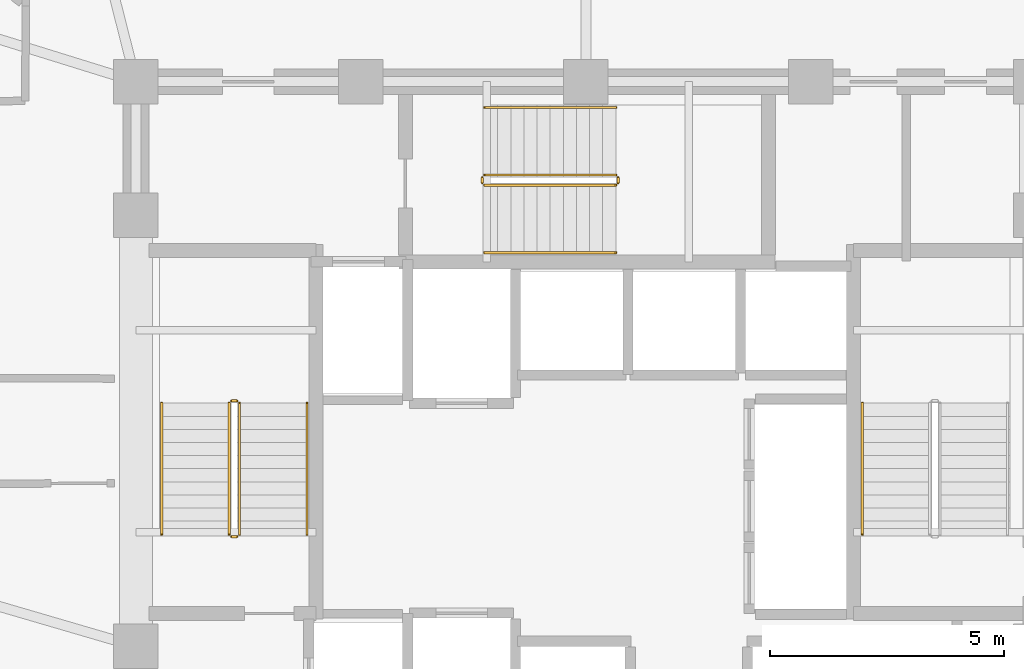
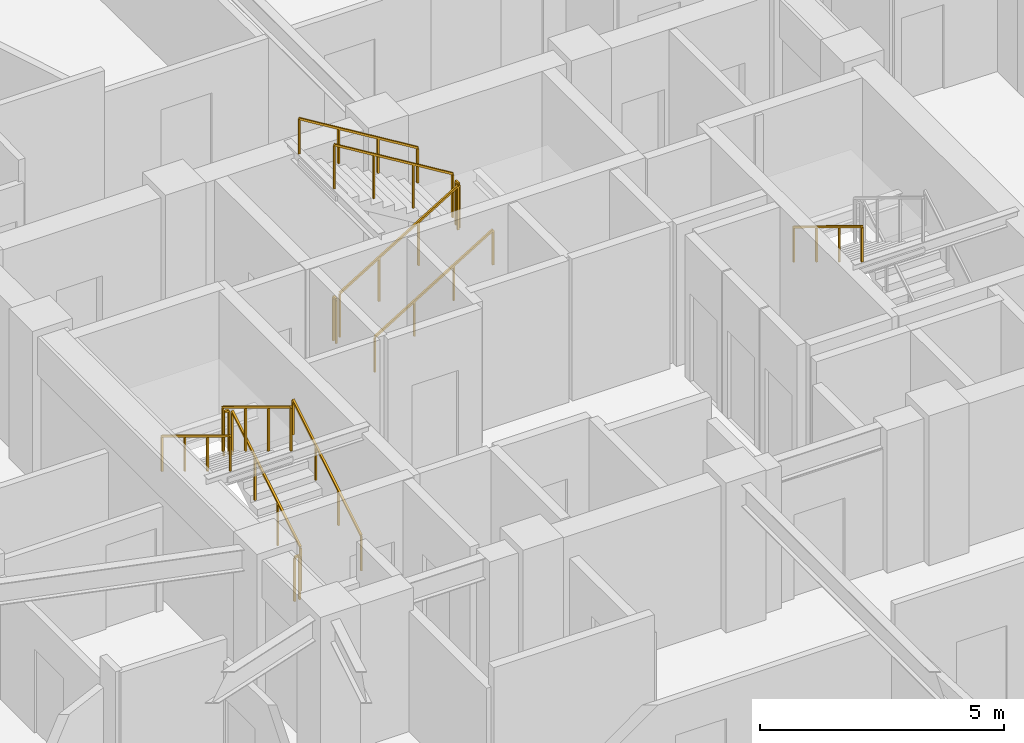
# One storey, part 29 of 31: 13 railings.
"""IFC4 building model written with IfcOpenShell, lengths in metres."""

import ifcopenshell
import ifcopenshell.guid

model = None  # the IFC model being written
_history = None  # IfcOwnerHistory: only IFC2X3 demands one
_inside = {}  # id of a spatial element -> (the spatial element, [elements in it])
_under = {}  # id of a project, library or spatial element -> (it, [spatial elements below it])
_declared = {}  # id of a project -> (the project, [libraries it declares])
_typed = {}  # id of a type object -> (the type object, [elements of that type])
_made_of = {}  # id of a material, layer set ... -> (it, [elements and type objects made of it])


def new_model(schema):
    """Start an empty IFC model of exactly this schema.

    Asked for "IFC4X3", IfcOpenShell would pick the latest addendum, in which some entities
    have other attributes; the version numbers below select the first issue.
    IFC2X3 requires an IfcOwnerHistory on every rooted entity: one is made here for all.
    """
    global model, _history
    if schema == "IFC4X3":
        model = ifcopenshell.file(schema_version=(4, 3, 0, 0))
    else:
        model = ifcopenshell.file(schema=schema)
    _inside.clear()
    _under.clear()
    _declared.clear()
    _typed.clear()
    _made_of.clear()
    _history = None
    if model.schema == "IFC2X3":
        org = make("IfcOrganization", Name="unknown")
        user = make(
            "IfcPersonAndOrganization",
            ThePerson=make("IfcPerson", FamilyName="unknown"),
            TheOrganization=org,
        )
        app = make(
            "IfcApplication",
            ApplicationDeveloper=org,
            Version="unknown",
            ApplicationFullName="unknown",
            ApplicationIdentifier="unknown",
        )
        _history = make(
            "IfcOwnerHistory",
            OwningUser=user,
            OwningApplication=app,
            ChangeAction="ADDED",
            CreationDate=0,
        )
    return model


def make(cls, **values):
    """One entity of the class cls with the attributes given. An attribute that is None is left unset."""
    return model.create_entity(
        cls, **{name: value for name, value in values.items() if value is not None}
    )


def rooted(cls, **values):
    """An entity with a GlobalId (a new one), such as an element, a storey or a relation."""
    return make(cls, GlobalId=ifcopenshell.guid.new(), OwnerHistory=_history, **values)


def si_unit(unit_type, name, prefix=None):
    """IfcSIUnit, for example si_unit("LENGTHUNIT", "METRE", prefix="MILLI")."""
    return make("IfcSIUnit", UnitType=unit_type, Prefix=prefix, Name=name)


def assignment(units):
    """IfcUnitAssignment: the units of a project."""
    return None if units is None else make("IfcUnitAssignment", Units=units)


def point(xyz):
    """IfcCartesianPoint."""
    return None if xyz is None else make("IfcCartesianPoint", Coordinates=xyz)


def direction(xyz):
    """IfcDirection."""
    return None if xyz is None else make("IfcDirection", DirectionRatios=xyz)


def frame(location, z_axis=None, x_axis=None):
    """IfcAxis2Placement3D, a coordinate frame: its origin and axes. An axis left out is left unset."""
    return make(
        "IfcAxis2Placement3D",
        Location=point(location),
        Axis=direction(z_axis),
        RefDirection=direction(x_axis),
    )


def frame_2d(location, x_axis=None):
    """IfcAxis2Placement2D, a coordinate frame in the plane: its origin and x axis."""
    return make(
        "IfcAxis2Placement2D", Location=point(location), RefDirection=direction(x_axis)
    )


def origin():
    """The frame at (0, 0, 0) with its axes left unset."""
    return frame((0.0, 0.0, 0.0))


def origin_2d():
    """The frame at (0, 0) in the plane with its x axis left unset."""
    return frame_2d((0.0, 0.0))


def place(relative_to, where):
    """IfcLocalPlacement: puts the frame where relative to a parent placement (None: the world)."""
    return make(
        "IfcLocalPlacement", PlacementRelTo=relative_to, RelativePlacement=where
    )


def context(
    kind, dimensions, precision=None, world=None, true_north=None, identifier=None
):
    """IfcGeometricRepresentationContext, for example the 3D "Model" context."""
    return make(
        "IfcGeometricRepresentationContext",
        ContextIdentifier=identifier,
        ContextType=kind,
        CoordinateSpaceDimension=dimensions,
        Precision=precision,
        WorldCoordinateSystem=world,
        TrueNorth=true_north,
    )


def subcontext(parent, identifier, kind, view, scale=None):
    """IfcGeometricRepresentationSubContext, for example "Body" below "Model"."""
    return make(
        "IfcGeometricRepresentationSubContext",
        ContextIdentifier=identifier,
        ContextType=kind,
        ParentContext=parent,
        TargetScale=scale,
        TargetView=view,
    )


def project(units=None, contexts=None):
    """IfcProject with its units and contexts."""
    return rooted(
        "IfcProject",
        Name="project",
        RepresentationContexts=contexts,
        UnitsInContext=assignment(units),
    )


def spatial(cls, under=None, at=None, **own):
    """A site, building, storey or space (cls), placed at a placement, below another one or the project."""
    s = rooted(cls, ObjectPlacement=at, **own)
    if under is not None:
        _under.setdefault(under.id(), (under, []))[1].append(s)
    return s


def profile(cls, at=None, kind="AREA", **sizes):
    """A parametric profile (cls). Its sizes go by their IFC names, for example OverallWidth=200.0."""
    return make(cls, ProfileType=kind, Position=at, **sizes)


def rectangle(**sizes):
    """IfcRectangleProfileDef."""
    return profile("IfcRectangleProfileDef", **sizes)


def extrude(swept, where, along, depth):
    """IfcExtrudedAreaSolid: the profile swept, set in the frame where, extruded along a direction by depth."""
    return make(
        "IfcExtrudedAreaSolid",
        SweptArea=swept,
        Position=where,
        ExtrudedDirection=direction(along),
        Depth=depth,
    )


def shape(context_of_items, identifier, shape_type, items):
    """IfcShapeRepresentation: the items that make up one representation, for example the "Body"."""
    return make(
        "IfcShapeRepresentation",
        ContextOfItems=context_of_items,
        RepresentationIdentifier=identifier,
        RepresentationType=shape_type,
        Items=items,
    )


def material(Name=None, Category=None):
    """IfcMaterial."""
    return make("IfcMaterial", Name=Name, Category=Category)


def made_of(thing, what):
    """Note that an element or type object is made of a material, layer set ...; save() writes the relation."""
    if what is not None:
        _made_of.setdefault(what.id(), (what, []))[1].append(thing)
    return thing


def type_object(cls, material=None, **own):
    """A type object (cls), such as IfcWallType, which elements share."""
    return made_of(rooted(cls, **own), material)


def element(
    cls,
    number,
    at=None,
    inside=None,
    cuts=None,
    type_object=None,
    material=None,
    context=None,
    identifier="Body",
    shape_type=None,
    held_by="IfcProductDefinitionShape",
    body=None,
    shapes=None,
    **own,
):
    """One element of the class cls, such as IfcWall. Its Tag is "e" and its number.

    at: its placement. inside: the storey or other place that contains it. cuts: it is an
    opening in that element (IfcRelVoidsElement). A single representation is given by context,
    identifier, shape_type and body (its items); several are given by shapes. held_by: the class
    of the entity that holds the representations. save() writes the other relations.
    """
    e = rooted(cls, Tag="e%d" % number, ObjectPlacement=at, **own)
    if body is not None:
        shapes = [shape(context, identifier, shape_type, body)]
    if shapes is not None:
        e.Representation = make(held_by, Representations=shapes)
    if inside is not None:
        _inside.setdefault(inside.id(), (inside, []))[1].append(e)
    if cuts is not None:
        rooted(
            "IfcRelVoidsElement", RelatingBuildingElement=cuts, RelatedOpeningElement=e
        )
    if type_object is not None:
        _typed.setdefault(type_object.id(), (type_object, []))[1].append(e)
    return made_of(e, material)


def aggregate(whole, parts):
    """IfcRelAggregates: a whole, such as a stair, and the parts it consists of."""
    return rooted("IfcRelAggregates", RelatingObject=whole, RelatedObjects=parts)


def save(model, path):
    """Write the relations noted so far, then the file.

    IfcRelAggregates (storeys below a building ...), IfcRelContainedInSpatialStructure (elements
    in a storey), IfcRelDefinesByType, IfcRelAssociatesMaterial and IfcRelDeclares: one each for
    every whole, place, type object, material and project.
    """
    for whole, parts in _under.values():
        aggregate(whole, parts)
    for where, things in _inside.values():
        rooted(
            "IfcRelContainedInSpatialStructure",
            RelatedElements=things,
            RelatingStructure=where,
        )
    for kind, things in _typed.values():
        rooted("IfcRelDefinesByType", RelatedObjects=things, RelatingType=kind)
    for what, things in _made_of.values():
        rooted("IfcRelAssociatesMaterial", RelatedObjects=things, RelatingMaterial=what)
    for by, libraries in _declared.values():
        rooted("IfcRelDeclares", RelatingContext=by, RelatedDefinitions=libraries)
    model.write(path)


model = new_model("IFC4")

# Units and contexts
model_context = context("Model", 3, precision=1e-05, world=origin(), true_north=direction((0.0, 1.0)))
body_context = subcontext(model_context, "Body", "Model", "MODEL_VIEW")
ifc_project = project(units=[si_unit("LENGTHUNIT", "METRE"), si_unit("AREAUNIT", "SQUARE_METRE"), si_unit("VOLUMEUNIT", "CUBIC_METRE"), si_unit("PLANEANGLEUNIT", "RADIAN"), si_unit("MASSUNIT", "GRAM", prefix="KILO")], contexts=[model_context])

# Site, building, storey
site_placement = place(None, origin())
site = spatial("IfcSite", under=ifc_project, at=site_placement, CompositionType="ELEMENT")
building_placement = place(site_placement, origin())
building = spatial("IfcBuilding", under=site, at=building_placement, Name="Vantalir Tower", CompositionType="ELEMENT")
storey_placement = place(building_placement, frame((0.0, 0.0, 123.449951171875)))
storey = spatial("IfcBuildingStorey", under=building, at=storey_placement, Name="L30", CompositionType="ELEMENT", Elevation=123.449951171875)

# Railings
ifc_material_1 = material(Name="Anodised aluminium and stainless steel guard", Category="steel")
railing_type_1 = type_object("IfcRailingType", Name="RAL-GUARD-1120", PredefinedType="GUARDRAIL", material=ifc_material_1)
railing_1_placement = place(storey_placement, frame((24.110107421875, 22.7900390625, 0.17041015625)))
element("IfcRailing", 1, at=railing_1_placement, inside=storey, type_object=railing_type_1, Name="L30 ST1 stair guard 1", PredefinedType="GUARDRAIL", context=body_context, shape_type="SweptSolid", body=[
    extrude(rectangle(XDim=0.048095703125, YDim=0.048095703125, at=origin_2d()), frame((0.0, 0.0, 1.09619140625), z_axis=(0.0, 0.854169791009, 0.51999420009), x_axis=(-1.0, 0.0, 0.0)), (0.0, 0.0, 1.0), 3.278076171875),
    extrude(rectangle(XDim=0.0419921875, YDim=0.0419921875, at=origin_2d()), origin(), (0.0, 0.0, 1.0), 1.072021484375),
    extrude(rectangle(XDim=0.0419921875, YDim=0.0419921875, at=origin_2d()), frame((0.0, 0.933349609375, 0.568115234375)), (0.0, 0.0, 1.0), 1.072021484375),
    extrude(rectangle(XDim=0.0419921875, YDim=0.0419921875, at=origin_2d()), frame((0.0, 1.86669921875, 1.136474609375)), (0.0, 0.0, 1.0), 1.072021484375),
    extrude(rectangle(XDim=0.0419921875, YDim=0.0419921875, at=origin_2d()), frame((0.0, 2.800048828125, 1.70458984375)), (0.0, 0.0, 1.0), 1.072021484375),
])
railing_2_placement = place(storey_placement, frame((24.06005859375, 25.639892578125, 1.875)))
element("IfcRailing", 2, at=railing_2_placement, inside=storey, type_object=railing_type_1, Name="L30 ST1 stair guard 2", PredefinedType="GUARDRAIL", context=body_context, shape_type="SweptSolid", body=[
    extrude(rectangle(XDim=0.048095703125, YDim=0.048095703125, at=origin_2d()), frame((0.0, 0.0, 1.09619140625), z_axis=(-1.0, 0.0, 0.0), x_axis=(0.0, -1.0, 0.0)), (0.0, 0.0, 1.0), 0.1201171875),
    extrude(rectangle(XDim=0.0419921875, YDim=0.0419921875, at=origin_2d()), origin(), (0.0, 0.0, 1.0), 1.072021484375),
    extrude(rectangle(XDim=0.0419921875, YDim=0.0419921875, at=origin_2d()), frame((-0.1201171875, 0.0, 0.0)), (0.0, 0.0, 1.0), 1.072021484375),
])
railing_3_placement = place(storey_placement, frame((23.889892578125, 25.590087890625, 2.04541015625)))
element("IfcRailing", 3, at=railing_3_placement, inside=storey, type_object=railing_type_1, Name="L30 ST1 stair guard 3", PredefinedType="GUARDRAIL", context=body_context, shape_type="SweptSolid", body=[
    extrude(rectangle(XDim=0.048095703125, YDim=0.048095703125, at=origin_2d()), frame((0.0, 0.0, 1.09619140625), z_axis=(0.0, -0.854169791009, 0.51999420009), x_axis=(1.0, 0.0, 0.0)), (0.0, 0.0, 1.0), 3.278076171875),
    extrude(rectangle(XDim=0.0419921875, YDim=0.0419921875, at=origin_2d()), origin(), (0.0, 0.0, 1.0), 1.072021484375),
    extrude(rectangle(XDim=0.0419921875, YDim=0.0419921875, at=origin_2d()), frame((0.0, -0.933349609375, 0.568115234375)), (0.0, 0.0, 1.0), 1.072021484375),
    extrude(rectangle(XDim=0.0419921875, YDim=0.0419921875, at=origin_2d()), frame((0.0, -1.86669921875, 1.136474609375)), (0.0, 0.0, 1.0), 1.072021484375),
    extrude(rectangle(XDim=0.0419921875, YDim=0.0419921875, at=origin_2d()), frame((0.0, -2.800048828125, 1.70458984375)), (0.0, 0.0, 1.0), 1.072021484375),
])
railing_4_placement = place(storey_placement, frame((24.06005859375, 22.739990234375, 0.0)))
element("IfcRailing", 4, at=railing_4_placement, inside=storey, type_object=railing_type_1, Name="L30 ST1 stair guard 4", PredefinedType="GUARDRAIL", context=body_context, shape_type="SweptSolid", body=[
    extrude(rectangle(XDim=0.048095703125, YDim=0.048095703125, at=origin_2d()), frame((0.0, 0.0, 1.09619140625), z_axis=(-1.0, 0.0, 0.0), x_axis=(0.0, -1.0, 0.0)), (0.0, 0.0, 1.0), 0.1201171875),
    extrude(rectangle(XDim=0.0419921875, YDim=0.0419921875, at=origin_2d()), origin(), (0.0, 0.0, 1.0), 1.072021484375),
    extrude(rectangle(XDim=0.0419921875, YDim=0.0419921875, at=origin_2d()), frame((-0.1201171875, 0.0, 0.0)), (0.0, 0.0, 1.0), 1.072021484375),
])
railing_5_placement = place(storey_placement, frame((29.340087890625, 30.239990234375, 0.17041015625)))
element("IfcRailing", 5, at=railing_5_placement, inside=storey, type_object=railing_type_1, Name="L30 ST3 stair guard 1", PredefinedType="GUARDRAIL", context=body_context, shape_type="SweptSolid", body=[
    extrude(rectangle(XDim=0.048095703125, YDim=0.048095703125, at=origin_2d()), frame((0.0, 0.0, 1.09619140625), z_axis=(0.854149651119, 0.0, 0.520027281489), x_axis=(0.0, 1.0, 0.0)), (0.0, 0.0, 1.0), 3.27783203125),
    extrude(rectangle(XDim=0.0419921875, YDim=0.0419921875, at=origin_2d()), origin(), (0.0, 0.0, 1.0), 1.072021484375),
    extrude(rectangle(XDim=0.0419921875, YDim=0.0419921875, at=origin_2d()), frame((0.933349609375, 0.0, 0.568115234375)), (0.0, 0.0, 1.0), 1.072021484375),
    extrude(rectangle(XDim=0.0419921875, YDim=0.0419921875, at=origin_2d()), frame((1.866455078125, 0.0, 1.136474609375)), (0.0, 0.0, 1.0), 1.072021484375),
    extrude(rectangle(XDim=0.0419921875, YDim=0.0419921875, at=origin_2d()), frame((2.7998046875, 0.0, 1.70458984375)), (0.0, 0.0, 1.0), 1.072021484375),
])
railing_6_placement = place(storey_placement, frame((32.18994140625, 30.2900390625, 1.875)))
element("IfcRailing", 6, at=railing_6_placement, inside=storey, type_object=railing_type_1, Name="L30 ST3 stair guard 2", PredefinedType="GUARDRAIL", context=body_context, shape_type="SweptSolid", body=[
    extrude(rectangle(XDim=0.048095703125, YDim=0.048095703125, at=origin_2d()), frame((0.0, 0.0, 1.09619140625), z_axis=(0.0, 1.0, 0.0), x_axis=(-1.0, 0.0, 0.0)), (0.0, 0.0, 1.0), 0.119873046875),
    extrude(rectangle(XDim=0.0419921875, YDim=0.0419921875, at=origin_2d()), origin(), (0.0, 0.0, 1.0), 1.072021484375),
    extrude(rectangle(XDim=0.0419921875, YDim=0.0419921875, at=origin_2d()), frame((0.0, 0.119873046875, 0.0)), (0.0, 0.0, 1.0), 1.072021484375),
])
railing_7_placement = place(storey_placement, frame((32.139892578125, 30.4599609375, 2.04541015625)))
element("IfcRailing", 7, at=railing_7_placement, inside=storey, type_object=railing_type_1, Name="L30 ST3 stair guard 3", PredefinedType="GUARDRAIL", context=body_context, shape_type="SweptSolid", body=[
    extrude(rectangle(XDim=0.048095703125, YDim=0.048095703125, at=origin_2d()), frame((0.0, 0.0, 1.09619140625), z_axis=(-0.854149651119, 0.0, 0.520027281489), x_axis=(0.0, -1.0, 0.0)), (0.0, 0.0, 1.0), 3.27783203125),
    extrude(rectangle(XDim=0.0419921875, YDim=0.0419921875, at=origin_2d()), origin(), (0.0, 0.0, 1.0), 1.072021484375),
    extrude(rectangle(XDim=0.0419921875, YDim=0.0419921875, at=origin_2d()), frame((-0.933349609375, 0.0, 0.568115234375)), (0.0, 0.0, 1.0), 1.072021484375),
    extrude(rectangle(XDim=0.0419921875, YDim=0.0419921875, at=origin_2d()), frame((-1.866455078125, 0.0, 1.136474609375)), (0.0, 0.0, 1.0), 1.072021484375),
    extrude(rectangle(XDim=0.0419921875, YDim=0.0419921875, at=origin_2d()), frame((-2.7998046875, 0.0, 1.70458984375)), (0.0, 0.0, 1.0), 1.072021484375),
])
railing_8_placement = place(storey_placement, frame((29.2900390625, 30.2900390625, 0.0)))
element("IfcRailing", 8, at=railing_8_placement, inside=storey, type_object=railing_type_1, Name="L30 ST3 stair guard 4", PredefinedType="GUARDRAIL", context=body_context, shape_type="SweptSolid", body=[
    extrude(rectangle(XDim=0.048095703125, YDim=0.048095703125, at=origin_2d()), frame((0.0, 0.0, 1.09619140625), z_axis=(0.0, 1.0, 0.0), x_axis=(-1.0, 0.0, 0.0)), (0.0, 0.0, 1.0), 0.119873046875),
    extrude(rectangle(XDim=0.0419921875, YDim=0.0419921875, at=origin_2d()), origin(), (0.0, 0.0, 1.0), 1.072021484375),
    extrude(rectangle(XDim=0.0419921875, YDim=0.0419921875, at=origin_2d()), frame((0.0, 0.119873046875, 0.0)), (0.0, 0.0, 1.0), 1.072021484375),
])
ifc_material_2 = material(Name="Brushed stainless steel tubular handrail", Category="steel")
railing_type_2 = type_object("IfcRailingType", Name="RAL-HANDRAIL-900", PredefinedType="HANDRAIL", material=ifc_material_2)
railing_9_placement = place(storey_placement, frame((25.550048828125, 22.7900390625, 0.17041015625)))
element("IfcRailing", 9, at=railing_9_placement, inside=storey, type_object=railing_type_2, Name="L30 ST1 stair handrail 1", PredefinedType="HANDRAIL", context=body_context, shape_type="SweptSolid", body=[
    extrude(rectangle(XDim=0.048095703125, YDim=0.048095703125, at=origin_2d()), frame((0.0, 0.0, 0.8759765625), z_axis=(0.0, 0.854169791009, 0.51999420009), x_axis=(-1.0, 0.0, 0.0)), (0.0, 0.0, 1.0), 3.278076171875),
    extrude(rectangle(XDim=0.0419921875, YDim=0.0419921875, at=origin_2d()), origin(), (0.0, 0.0, 1.0), 0.851806640625),
    extrude(rectangle(XDim=0.0419921875, YDim=0.0419921875, at=origin_2d()), frame((0.0, 0.933349609375, 0.568115234375)), (0.0, 0.0, 1.0), 0.851806640625),
    extrude(rectangle(XDim=0.0419921875, YDim=0.0419921875, at=origin_2d()), frame((0.0, 1.86669921875, 1.136474609375)), (0.0, 0.0, 1.0), 0.851806640625),
    extrude(rectangle(XDim=0.0419921875, YDim=0.0419921875, at=origin_2d()), frame((0.0, 2.800048828125, 1.70458984375)), (0.0, 0.0, 1.0), 0.851806640625),
])
for number, where, name in (
    (10, (22.449951171875, 25.590087890625, 2.04541015625), "L30 ST1 stair handrail 2"),
    (11, (37.39990234375, 25.590087890625, 2.04541015625), "L30 ST2 stair handrail 2"),
):
    element("IfcRailing", number, at=place(storey_placement, frame(where)), inside=storey, type_object=railing_type_2, Name=name, PredefinedType="HANDRAIL", context=body_context, shape_type="SweptSolid", body=[
        extrude(rectangle(XDim=0.048095703125, YDim=0.048095703125, at=origin_2d()), frame((0.0, 0.0, 0.8759765625), z_axis=(0.0, -0.854169791009, 0.51999420009), x_axis=(1.0, 0.0, 0.0)), (0.0, 0.0, 1.0), 3.278076171875),
        extrude(rectangle(XDim=0.0419921875, YDim=0.0419921875, at=origin_2d()), origin(), (0.0, 0.0, 1.0), 0.851806640625),
        extrude(rectangle(XDim=0.0419921875, YDim=0.0419921875, at=origin_2d()), frame((0.0, -0.933349609375, 0.568115234375)), (0.0, 0.0, 1.0), 0.851806640625),
        extrude(rectangle(XDim=0.0419921875, YDim=0.0419921875, at=origin_2d()), frame((0.0, -1.86669921875, 1.136474609375)), (0.0, 0.0, 1.0), 0.851806640625),
        extrude(rectangle(XDim=0.0419921875, YDim=0.0419921875, at=origin_2d()), frame((0.0, -2.800048828125, 1.70458984375)), (0.0, 0.0, 1.0), 0.851806640625),
    ])
railing_10_placement = place(storey_placement, frame((29.340087890625, 28.800048828125, 0.17041015625)))
element("IfcRailing", 12, at=railing_10_placement, inside=storey, type_object=railing_type_2, Name="L30 ST3 stair handrail 1", PredefinedType="HANDRAIL", context=body_context, shape_type="SweptSolid", body=[
    extrude(rectangle(XDim=0.048095703125, YDim=0.048095703125, at=origin_2d()), frame((0.0, 0.0, 0.8759765625), z_axis=(0.854149651119, 0.0, 0.520027281489), x_axis=(0.0, 1.0, 0.0)), (0.0, 0.0, 1.0), 3.27783203125),
    extrude(rectangle(XDim=0.0419921875, YDim=0.0419921875, at=origin_2d()), origin(), (0.0, 0.0, 1.0), 0.851806640625),
    extrude(rectangle(XDim=0.0419921875, YDim=0.0419921875, at=origin_2d()), frame((0.933349609375, 0.0, 0.568115234375)), (0.0, 0.0, 1.0), 0.851806640625),
    extrude(rectangle(XDim=0.0419921875, YDim=0.0419921875, at=origin_2d()), frame((1.866455078125, 0.0, 1.136474609375)), (0.0, 0.0, 1.0), 0.851806640625),
    extrude(rectangle(XDim=0.0419921875, YDim=0.0419921875, at=origin_2d()), frame((2.7998046875, 0.0, 1.70458984375)), (0.0, 0.0, 1.0), 0.851806640625),
])
railing_11_placement = place(storey_placement, frame((32.139892578125, 31.89990234375, 2.04541015625)))
element("IfcRailing", 13, at=railing_11_placement, inside=storey, type_object=railing_type_2, Name="L30 ST3 stair handrail 2", PredefinedType="HANDRAIL", context=body_context, shape_type="SweptSolid", body=[
    extrude(rectangle(XDim=0.048095703125, YDim=0.048095703125, at=origin_2d()), frame((0.0, 0.0, 0.8759765625), z_axis=(-0.854149651119, 0.0, 0.520027281489), x_axis=(0.0, -1.0, 0.0)), (0.0, 0.0, 1.0), 3.27783203125),
    extrude(rectangle(XDim=0.0419921875, YDim=0.0419921875, at=origin_2d()), origin(), (0.0, 0.0, 1.0), 0.851806640625),
    extrude(rectangle(XDim=0.0419921875, YDim=0.0419921875, at=origin_2d()), frame((-0.933349609375, 0.0, 0.568115234375)), (0.0, 0.0, 1.0), 0.851806640625),
    extrude(rectangle(XDim=0.0419921875, YDim=0.0419921875, at=origin_2d()), frame((-1.866455078125, 0.0, 1.136474609375)), (0.0, 0.0, 1.0), 0.851806640625),
    extrude(rectangle(XDim=0.0419921875, YDim=0.0419921875, at=origin_2d()), frame((-2.7998046875, 0.0, 1.70458984375)), (0.0, 0.0, 1.0), 0.851806640625),
])

save(model, "model.ifc")
